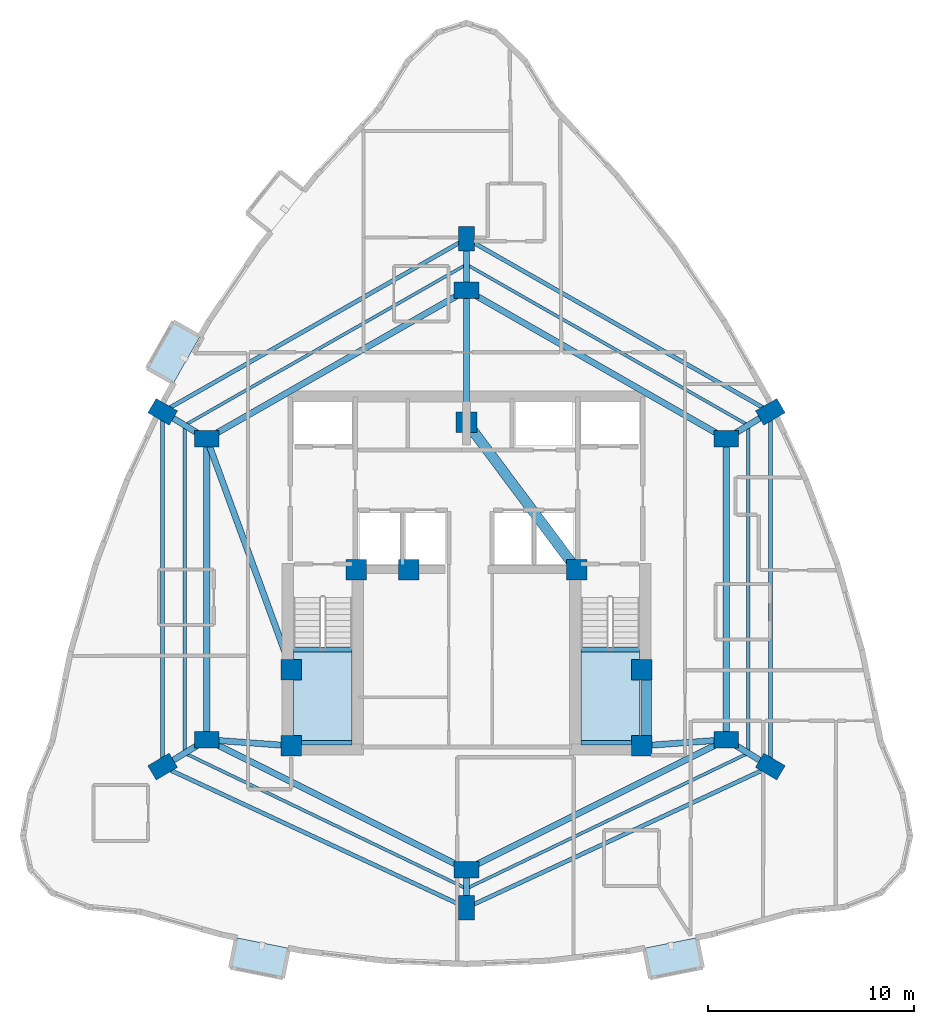
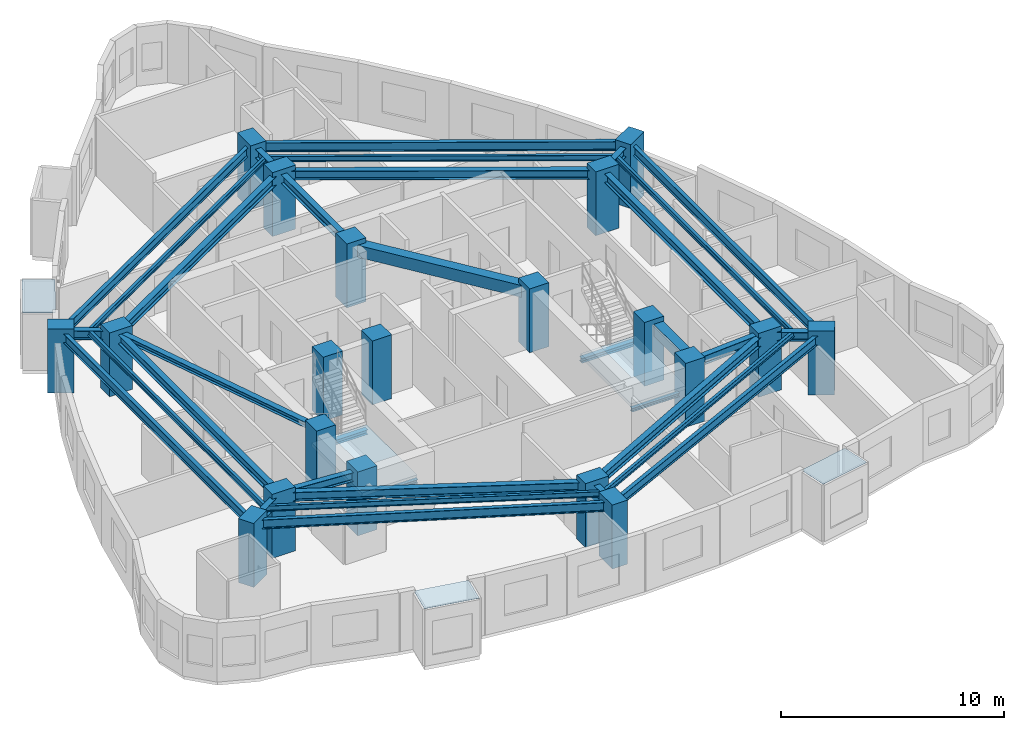
# One storey, part 1 of 12: 34 beams, 20 columns, 3 plates, 2 slabs, 2 elements without a shape of their own.
"""IFC4 building model written with IfcOpenShell, lengths in metres."""

from ifc_helpers import new_model, si_unit, direction, frame, origin, origin_2d, place, context, subcontext, project, spatial, polyline, rectangle, i_section, outline, extrude, material, layer, layer_set, material_profile, profile_set, type_object, element, aggregate, save


model = new_model("IFC4")

# Units and contexts
model_context = context("Model", 3, precision=1e-05, world=origin(), true_north=direction((0.0, 1.0)))
body_context = subcontext(model_context, "Body", "Model", "MODEL_VIEW")
ifc_project = project(units=[si_unit("LENGTHUNIT", "METRE"), si_unit("AREAUNIT", "SQUARE_METRE"), si_unit("VOLUMEUNIT", "CUBIC_METRE"), si_unit("PLANEANGLEUNIT", "RADIAN"), si_unit("MASSUNIT", "GRAM", prefix="KILO")], contexts=[model_context])

# Site, building, storey
site_placement = place(None, origin())
site = spatial("IfcSite", under=ifc_project, at=site_placement, CompositionType="ELEMENT")
building_placement = place(site_placement, origin())
building = spatial("IfcBuilding", under=site, at=building_placement, Name="Miruveldt Soraemaru", CompositionType="ELEMENT")
storey_placement = place(building_placement, frame((0.0, 0.0, 145.89990234375)))
storey = spatial("IfcBuildingStorey", under=building, at=storey_placement, Name="L40", CompositionType="ELEMENT", Elevation=145.89990234375)

# Columns
ifc_material_1 = material(Name="Concrete C60/75 (60 MPa)", Category="concrete")
ifc_material_profile_1 = material_profile(ifc_material_1, rectangle(XDim=1.0, YDim=1.0, at=origin_2d()), Name="Concrete C60/75 (60 MPa)", Category="concrete")
ifc_profile_set_1 = profile_set([ifc_material_profile_1], Name="Concrete C60/75 (60 MPa)")
column_type_1 = type_object("IfcColumnType", Name="COL-CORE-1000", PredefinedType="COLUMN", material=ifc_profile_set_1)
for number, where, z_axis, x_axis, name in (
    (1, (35.5, 35.5, 0.0), (0.0, 0.0, 1.0), (1.0, 0.0, 0.0), "L40 Structural Column CC1"),
    (2, (38.64990234375, 44.050048828125, 0.0), (0.0, 0.0, 1.0), (1.0, 0.0, 0.0), "L40 Structural Column CC2"),
    (3, (52.5, 35.5, 0.0), (0.0, 0.0, 1.0), (1.0, 0.0, 0.0), "L40 Structural Column CC3"),
    (4, (52.5, 39.199951171875, 0.0), (0.0, 0.0, 1.0), (1.0, 0.0, 0.0), "L40 Structural Column CC4"),
    (5, (49.35009765625, 44.050048828125, 0.0), (0.0, 0.0, 1.0), (1.0, 0.0, 0.0), "L40 Structural Column CC5"),
    (6, (44.0, 51.199951171875, 0.0), (0.0, 0.0, 1.0), (1.0, 0.0, 0.0), "L40 Structural Column CC6"),
    (7, (35.5, 39.199951171875, 0.0), (0.0, 0.0, 1.0), (1.0, 0.0, 0.0), "L40 Structural Column CC7"),
    (8, (41.199951171875, 44.050048828125, 0.0), (0.0, 0.0, 1.0), (1.0, 0.0, 0.0), "L40 Structural Column CC8"),
):
    element("IfcColumn", number, at=place(storey_placement, frame(where, z_axis=z_axis, x_axis=x_axis)), inside=storey, type_object=column_type_1, Name=name, PredefinedType="COLUMN", context=body_context, shape_type="SweptSolid", body=[
        extrude(rectangle(XDim=1.0, YDim=1.0, at=origin_2d()), origin(), (0.0, 0.0, 1.0), 3.5),
    ])
ifc_material_2 = material(Name="Concrete C70/85 (70 MPa)", Category="concrete")
ifc_material_profile_2 = material_profile(ifc_material_2, rectangle(XDim=1.199951171875, YDim=0.800048828125, at=origin_2d()), Name="Concrete C70/85 (70 MPa)", Category="concrete")
ifc_profile_set_2 = profile_set([ifc_material_profile_2], Name="Concrete C70/85 (70 MPa)")
column_type_2 = type_object("IfcColumnType", Name="COL-TW-Z2", PredefinedType="COLUMN", material=ifc_profile_set_2)
for number, where, z_axis, x_axis, name in (
    (9, (44.0, 57.60009765625, 0.0), (0.0, 0.0, 1.0), (1.0, 0.0, 0.0), "L40 Structural Column IR01"),
    (10, (56.60009765625, 50.39990234375, 0.0), (0.0, 0.0, 1.0), (1.0, 0.0, 0.0), "L40 Structural Column IR02"),
    (11, (56.60009765625, 35.800048828125, 0.0), (0.0, 0.0, 1.0), (1.0, 0.0, 0.0), "L40 Structural Column IR03"),
    (12, (44.0, 29.5, 0.0), (0.0, 0.0, 1.0), (1.0, 0.0, 0.0), "L40 Structural Column IR04"),
    (13, (31.39990234375, 35.800048828125, 0.0), (0.0, 0.0, 1.0), (1.0, 0.0, 0.0), "L40 Structural Column IR05"),
    (14, (31.39990234375, 50.39990234375, 0.0), (0.0, 0.0, 1.0), (1.0, 0.0, 0.0), "L40 Structural Column IR06"),
    (15, (44.0, 60.10595703125, 0.0), (0.0, 0.0, 1.0), (0.0, 1.0, 0.0), "L40 Structural Column Z2P01"),
    (16, (58.739990234375, 51.705078125, 0.0), (0.0, 0.0, 1.0), (0.866025403784, 0.5, 0.0), "L40 Structural Column Z2P02"),
    (17, (58.739990234375, 34.4951171875, 0.0), (0.0, 0.0, 1.0), (-0.860742027004, 0.50904141575, 0.0), "L40 Structural Column Z2P03"),
    (18, (44.0, 27.64697265625, 0.0), (0.0, 0.0, 1.0), (0.0, 1.0, 0.0), "L40 Structural Column Z2P04"),
    (19, (29.260009765625, 34.4951171875, 0.0), (0.0, 0.0, 1.0), (0.860742027004, 0.50904141575, 0.0), "L40 Structural Column Z2P05"),
    (20, (29.260009765625, 51.705078125, 0.0), (0.0, 0.0, 1.0), (-0.866025403784, 0.5, 0.0), "L40 Structural Column Z2P06"),
):
    element("IfcColumn", number, at=place(storey_placement, frame(where, z_axis=z_axis, x_axis=x_axis)), inside=storey, type_object=column_type_2, Name=name, PredefinedType="COLUMN", context=body_context, shape_type="SweptSolid", body=[
        extrude(rectangle(XDim=1.199951171875, YDim=0.800048828125, at=origin_2d()), origin(), (0.0, 0.0, 1.0), 3.5),
    ])

# Beams
ifc_material_3 = material(Name="Steel SM355 (355 MPa)", Category="steel")
ifc_material_profile_3 = material_profile(ifc_material_3, i_section(OverallWidth=0.300048828125, OverallDepth=0.300048828125, WebThickness=0.010009765625, FlangeThickness=0.014892578125, FilletRadius=0.01806640625, at=origin_2d()), Name="Steel SM355 (355 MPa)", Category="steel")
ifc_profile_set_3 = profile_set([ifc_material_profile_3], Name="Steel SM355 (355 MPa)")
beam_type_1 = type_object("IfcBeamType", Name="BM-LNT-H300", PredefinedType="LINTEL", material=ifc_profile_set_3)
beam_1_placement = place(storey_placement, frame((31.39990234375, 50.39990234375, 3.085205078125), z_axis=(0.343770424598, -0.939053723262, 0.0), x_axis=(0.939053723262, 0.343770424598, 0.0)))
element("IfcBeam", 21, at=beam_1_placement, inside=storey, type_object=beam_type_1, Name="L40 West Lobby Lintel", PredefinedType="LINTEL", context=body_context, shape_type="SweptSolid", body=[
    extrude(i_section(OverallWidth=0.300048828125, OverallDepth=0.300048828125, WebThickness=0.010009765625, FlangeThickness=0.014892578125, FilletRadius=0.01806640625, at=origin_2d()), origin(), (0.0, 0.0, 1.0), 11.9267578125),
])
ifc_material_4 = material(Name="Concrete C50/60 (50 MPa)", Category="concrete")
ifc_material_profile_4 = material_profile(ifc_material_4, rectangle(XDim=0.5, YDim=0.64990234375, at=origin_2d()), Name="Concrete C50/60 (50 MPa)", Category="concrete")
ifc_profile_set_4 = profile_set([ifc_material_profile_4], Name="Concrete C50/60 (50 MPa)")
beam_type_2 = type_object("IfcBeamType", Name="BM-RC-500x650", PredefinedType="BEAM", material=ifc_profile_set_4)
beam_2_placement = place(storey_placement, frame((52.72998046875, 35.5, 2.91015625), z_axis=(0.0, 1.0, 0.0), x_axis=(-1.0, 0.0, 0.0)))
element("IfcBeam", 22, at=beam_2_placement, inside=storey, type_object=beam_type_2, Name="L40 Core Tie Beam 3", PredefinedType="BEAM", context=body_context, shape_type="SweptSolid", body=[
    extrude(rectangle(XDim=0.5, YDim=0.64990234375, at=origin_2d()), origin(), (0.0, 0.0, 1.0), 3.699951171875),
])
beam_3_placement = place(storey_placement, frame((49.35009765625, 44.050048828125, 2.91015625), z_axis=(-0.599116023999, 0.800662219533, 0.0), x_axis=(-0.800662219533, -0.599116023999, 0.0)))
element("IfcBeam", 23, at=beam_3_placement, inside=storey, type_object=beam_type_2, Name="L40 Core Tie Beam 5", PredefinedType="BEAM", context=body_context, shape_type="SweptSolid", body=[
    extrude(rectangle(XDim=0.5, YDim=0.64990234375, at=origin_2d()), origin(), (0.0, 0.0, 1.0), 8.929931640625),
])
ifc_material_profile_5 = material_profile(ifc_material_3, i_section(OverallWidth=0.14990234375, OverallDepth=0.300048828125, WebThickness=0.006591796875, FlangeThickness=0.009033203125, FilletRadius=0.012939453125, at=origin_2d()), Name="Steel SM355 (355 MPa)", Category="steel")
ifc_profile_set_5 = profile_set([ifc_material_profile_5], Name="Steel SM355 (355 MPa)")
beam_type_3 = type_object("IfcBeamType", Name="BM-ST-H300", PredefinedType="JOIST", material=ifc_profile_set_5)
beam_4_placement = place(storey_placement, frame((44.0, 58.85302734375, 3.085205078125), z_axis=(0.868539859756, -0.495619321672, 0.0), x_axis=(0.495619321672, 0.868539859756, 0.0)))
element("IfcBeam", 24, at=beam_4_placement, inside=storey, type_object=beam_type_3, Name="L40 Outer Bay Floor Joist 1", PredefinedType="JOIST", context=body_context, shape_type="SweptSolid", body=[
    extrude(i_section(OverallWidth=0.14990234375, OverallDepth=0.300048828125, WebThickness=0.006591796875, FlangeThickness=0.009033203125, FilletRadius=0.012939453125, at=origin_2d()), origin(), (0.0, 0.0, 1.0), 15.739013671875),
])
beam_5_placement = place(storey_placement, frame((57.669921875, 51.052490234375, 3.085205078125), z_axis=(0.0, -1.0, 0.0), x_axis=(1.0, 0.0, 0.0)))
element("IfcBeam", 25, at=beam_5_placement, inside=storey, type_object=beam_type_3, Name="L40 Outer Bay Floor Joist 2", PredefinedType="JOIST", context=body_context, shape_type="SweptSolid", body=[
    extrude(i_section(OverallWidth=0.14990234375, OverallDepth=0.300048828125, WebThickness=0.006591796875, FlangeThickness=0.009033203125, FilletRadius=0.012939453125, at=origin_2d()), origin(), (0.0, 0.0, 1.0), 15.905029296875),
])
for number, where, z_axis, x_axis, name in (
    (26, (57.669921875, 35.1474609375, 3.085205078125), (-0.901203586802, -0.433396002676, 0.0), (0.433396002676, -0.901203586802, 0.0), "L40 Outer Bay Floor Joist 3"),
    (27, (44.0, 28.573486328125, 3.085205078125), (-0.901203586802, 0.433396002676, 0.0), (-0.433396002676, -0.901203586802, 0.0), "L40 Outer Bay Floor Joist 4"),
):
    element("IfcBeam", number, at=place(storey_placement, frame(where, z_axis=z_axis, x_axis=x_axis)), inside=storey, type_object=beam_type_3, Name=name, PredefinedType="JOIST", context=body_context, shape_type="SweptSolid", body=[
        extrude(i_section(OverallWidth=0.14990234375, OverallDepth=0.300048828125, WebThickness=0.006591796875, FlangeThickness=0.009033203125, FilletRadius=0.012939453125, at=origin_2d()), origin(), (0.0, 0.0, 1.0), 15.16845703125),
    ])
beam_6_placement = place(storey_placement, frame((30.330078125, 35.1474609375, 3.085205078125), z_axis=(0.0, 1.0, 0.0), x_axis=(-1.0, 0.0, 0.0)))
element("IfcBeam", 28, at=beam_6_placement, inside=storey, type_object=beam_type_3, Name="L40 Outer Bay Floor Joist 5", PredefinedType="JOIST", context=body_context, shape_type="SweptSolid", body=[
    extrude(i_section(OverallWidth=0.14990234375, OverallDepth=0.300048828125, WebThickness=0.006591796875, FlangeThickness=0.009033203125, FilletRadius=0.012939453125, at=origin_2d()), origin(), (0.0, 0.0, 1.0), 15.905029296875),
])
beam_7_placement = place(storey_placement, frame((30.330078125, 51.052490234375, 3.085205078125), z_axis=(0.868539859756, 0.495619321672, 0.0), x_axis=(-0.495619321672, 0.868539859756, 0.0)))
element("IfcBeam", 29, at=beam_7_placement, inside=storey, type_object=beam_type_3, Name="L40 Outer Bay Floor Joist 6", PredefinedType="JOIST", context=body_context, shape_type="SweptSolid", body=[
    extrude(i_section(OverallWidth=0.14990234375, OverallDepth=0.300048828125, WebThickness=0.006591796875, FlangeThickness=0.009033203125, FilletRadius=0.012939453125, at=origin_2d()), origin(), (0.0, 0.0, 1.0), 15.739013671875),
])
ifc_material_profile_6 = material_profile(ifc_material_3, i_section(OverallWidth=0.300048828125, OverallDepth=0.488037109375, WebThickness=0.010986328125, FlangeThickness=0.01806640625, FilletRadius=0.02587890625, at=origin_2d()), Name="Steel SM355 (355 MPa)", Category="steel")
ifc_profile_set_6 = profile_set([ifc_material_profile_6], Name="Steel SM355 (355 MPa)")
beam_type_4 = type_object("IfcBeamType", Name="BM-ST-H488", PredefinedType="BEAM", material=ifc_profile_set_6)
beam_8_placement = place(storey_placement, frame((44.0, 57.60009765625, 2.9912109375), z_axis=(0.868239001029, -0.496146185203, 0.0), x_axis=(0.496146185203, 0.868239001029, 0.0)))
element("IfcBeam", 30, at=beam_8_placement, inside=storey, type_object=beam_type_4, Name="L40 Inner Ring Girder 1", PredefinedType="BEAM", context=body_context, shape_type="SweptSolid", body=[
    extrude(i_section(OverallWidth=0.300048828125, OverallDepth=0.488037109375, WebThickness=0.010986328125, FlangeThickness=0.01806640625, FilletRadius=0.02587890625, at=origin_2d()), origin(), (0.0, 0.0, 1.0), 14.51220703125),
])
beam_9_placement = place(storey_placement, frame((44.0, 51.199951171875, 2.9912109375), z_axis=(0.0, 1.0, 0.0), x_axis=(-1.0, 0.0, 0.0)))
element("IfcBeam", 31, at=beam_9_placement, inside=storey, type_object=beam_type_4, Name="L40 Core-to-Inner Radial Girder 1", PredefinedType="BEAM", context=body_context, shape_type="SweptSolid", body=[
    extrude(i_section(OverallWidth=0.300048828125, OverallDepth=0.488037109375, WebThickness=0.010986328125, FlangeThickness=0.01806640625, FilletRadius=0.02587890625, at=origin_2d()), origin(), (0.0, 0.0, 1.0), 6.400146484375),
])
beam_10_placement = place(storey_placement, frame((56.60009765625, 50.39990234375, 2.9912109375), z_axis=(0.0, -1.0, 0.0), x_axis=(1.0, 0.0, 0.0)))
element("IfcBeam", 32, at=beam_10_placement, inside=storey, type_object=beam_type_4, Name="L40 Inner Ring Girder 2", PredefinedType="BEAM", context=body_context, shape_type="SweptSolid", body=[
    extrude(i_section(OverallWidth=0.300048828125, OverallDepth=0.488037109375, WebThickness=0.010986328125, FlangeThickness=0.01806640625, FilletRadius=0.02587890625, at=origin_2d()), origin(), (0.0, 0.0, 1.0), 14.599853515625),
])
beam_11_placement = place(storey_placement, frame((56.60009765625, 35.800048828125, 2.9912109375), z_axis=(-0.894427191, -0.4472135955, 0.0), x_axis=(0.4472135955, -0.894427191, 0.0)))
element("IfcBeam", 33, at=beam_11_placement, inside=storey, type_object=beam_type_4, Name="L40 Inner Ring Girder 3", PredefinedType="BEAM", context=body_context, shape_type="SweptSolid", body=[
    extrude(i_section(OverallWidth=0.300048828125, OverallDepth=0.488037109375, WebThickness=0.010986328125, FlangeThickness=0.01806640625, FilletRadius=0.02587890625, at=origin_2d()), origin(), (0.0, 0.0, 1.0), 14.08740234375),
])
beam_12_placement = place(storey_placement, frame((52.5, 35.5, 2.9912109375), z_axis=(0.997332985605, 0.072985723431, 0.0), x_axis=(-0.072985723431, 0.997332985605, 0.0)))
element("IfcBeam", 34, at=beam_12_placement, inside=storey, type_object=beam_type_4, Name="L40 Core-to-Inner Radial Girder 3", PredefinedType="BEAM", context=body_context, shape_type="SweptSolid", body=[
    extrude(i_section(OverallWidth=0.300048828125, OverallDepth=0.488037109375, WebThickness=0.010986328125, FlangeThickness=0.01806640625, FilletRadius=0.02587890625, at=origin_2d()), origin(), (0.0, 0.0, 1.0), 4.111083984375),
])
beam_13_placement = place(storey_placement, frame((44.0, 29.5, 2.9912109375), z_axis=(-0.894427191, 0.4472135955, 0.0), x_axis=(-0.4472135955, -0.894427191, 0.0)))
element("IfcBeam", 35, at=beam_13_placement, inside=storey, type_object=beam_type_4, Name="L40 Inner Ring Girder 4", PredefinedType="BEAM", context=body_context, shape_type="SweptSolid", body=[
    extrude(i_section(OverallWidth=0.300048828125, OverallDepth=0.488037109375, WebThickness=0.010986328125, FlangeThickness=0.01806640625, FilletRadius=0.02587890625, at=origin_2d()), origin(), (0.0, 0.0, 1.0), 14.08740234375),
])
beam_14_placement = place(storey_placement, frame((31.39990234375, 35.800048828125, 2.9912109375), z_axis=(0.0, 1.0, 0.0), x_axis=(-1.0, 0.0, 0.0)))
element("IfcBeam", 36, at=beam_14_placement, inside=storey, type_object=beam_type_4, Name="L40 Inner Ring Girder 5", PredefinedType="BEAM", context=body_context, shape_type="SweptSolid", body=[
    extrude(i_section(OverallWidth=0.300048828125, OverallDepth=0.488037109375, WebThickness=0.010986328125, FlangeThickness=0.01806640625, FilletRadius=0.02587890625, at=origin_2d()), origin(), (0.0, 0.0, 1.0), 14.599853515625),
])
beam_15_placement = place(storey_placement, frame((35.5, 35.5, 2.9912109375), z_axis=(-0.997332985605, 0.072985723431, 0.0), x_axis=(-0.072985723431, -0.997332985605, 0.0)))
element("IfcBeam", 37, at=beam_15_placement, inside=storey, type_object=beam_type_4, Name="L40 Core-to-Inner Radial Girder 5", PredefinedType="BEAM", context=body_context, shape_type="SweptSolid", body=[
    extrude(i_section(OverallWidth=0.300048828125, OverallDepth=0.488037109375, WebThickness=0.010986328125, FlangeThickness=0.01806640625, FilletRadius=0.02587890625, at=origin_2d()), origin(), (0.0, 0.0, 1.0), 4.111083984375),
])
beam_16_placement = place(storey_placement, frame((31.39990234375, 50.39990234375, 2.9912109375), z_axis=(0.868239001029, 0.496146185203, 0.0), x_axis=(-0.496146185203, 0.868239001029, 0.0)))
element("IfcBeam", 38, at=beam_16_placement, inside=storey, type_object=beam_type_4, Name="L40 Inner Ring Girder 6", PredefinedType="BEAM", context=body_context, shape_type="SweptSolid", body=[
    extrude(i_section(OverallWidth=0.300048828125, OverallDepth=0.488037109375, WebThickness=0.010986328125, FlangeThickness=0.01806640625, FilletRadius=0.02587890625, at=origin_2d()), origin(), (0.0, 0.0, 1.0), 14.51220703125),
])
beam_17_placement = place(storey_placement, frame((44.0, 57.60009765625, 2.9912109375), z_axis=(0.0, 1.0, 0.0), x_axis=(-1.0, 0.0, 0.0)))
element("IfcBeam", 39, at=beam_17_placement, inside=storey, type_object=beam_type_4, Name="L40 Zone-2 Radial Girder 1", PredefinedType="BEAM", context=body_context, shape_type="SweptSolid", body=[
    extrude(i_section(OverallWidth=0.300048828125, OverallDepth=0.488037109375, WebThickness=0.010986328125, FlangeThickness=0.01806640625, FilletRadius=0.02587890625, at=origin_2d()), origin(), (0.0, 0.0, 1.0), 2.505859375),
])
beam_18_placement = place(storey_placement, frame((56.60009765625, 50.39990234375, 2.9912109375), z_axis=(0.85373175529, 0.520713059188, 0.0), x_axis=(-0.520713059188, 0.85373175529, 0.0)))
element("IfcBeam", 40, at=beam_18_placement, inside=storey, type_object=beam_type_4, Name="L40 Zone-2 Radial Girder 2", PredefinedType="BEAM", context=body_context, shape_type="SweptSolid", body=[
    extrude(i_section(OverallWidth=0.300048828125, OverallDepth=0.488037109375, WebThickness=0.010986328125, FlangeThickness=0.01806640625, FilletRadius=0.02587890625, at=origin_2d()), origin(), (0.0, 0.0, 1.0), 2.506591796875),
])
beam_19_placement = place(storey_placement, frame((56.60009765625, 35.800048828125, 2.9912109375), z_axis=(0.853775054686, -0.5206420613, 0.0), x_axis=(0.5206420613, 0.853775054686, 0.0)))
element("IfcBeam", 41, at=beam_19_placement, inside=storey, type_object=beam_type_4, Name="L40 Zone-2 Radial Girder 3", PredefinedType="BEAM", context=body_context, shape_type="SweptSolid", body=[
    extrude(i_section(OverallWidth=0.300048828125, OverallDepth=0.488037109375, WebThickness=0.010986328125, FlangeThickness=0.01806640625, FilletRadius=0.02587890625, at=origin_2d()), origin(), (0.0, 0.0, 1.0), 2.50634765625),
])
beam_20_placement = place(storey_placement, frame((44.0, 29.5, 2.9912109375), z_axis=(0.0, -1.0, 0.0), x_axis=(1.0, 0.0, 0.0)))
element("IfcBeam", 42, at=beam_20_placement, inside=storey, type_object=beam_type_4, Name="L40 Zone-2 Radial Girder 4", PredefinedType="BEAM", context=body_context, shape_type="SweptSolid", body=[
    extrude(i_section(OverallWidth=0.300048828125, OverallDepth=0.488037109375, WebThickness=0.010986328125, FlangeThickness=0.01806640625, FilletRadius=0.02587890625, at=origin_2d()), origin(), (0.0, 0.0, 1.0), 1.85302734375),
])
beam_21_placement = place(storey_placement, frame((31.39990234375, 35.800048828125, 2.9912109375), z_axis=(-0.853775054686, -0.5206420613, 0.0), x_axis=(0.5206420613, -0.853775054686, 0.0)))
element("IfcBeam", 43, at=beam_21_placement, inside=storey, type_object=beam_type_4, Name="L40 Zone-2 Radial Girder 5", PredefinedType="BEAM", context=body_context, shape_type="SweptSolid", body=[
    extrude(i_section(OverallWidth=0.300048828125, OverallDepth=0.488037109375, WebThickness=0.010986328125, FlangeThickness=0.01806640625, FilletRadius=0.02587890625, at=origin_2d()), origin(), (0.0, 0.0, 1.0), 2.50634765625),
])
beam_22_placement = place(storey_placement, frame((31.39990234375, 50.39990234375, 2.9912109375), z_axis=(-0.85373175529, 0.520713059188, 0.0), x_axis=(-0.520713059188, -0.85373175529, 0.0)))
element("IfcBeam", 44, at=beam_22_placement, inside=storey, type_object=beam_type_4, Name="L40 Zone-2 Radial Girder 6", PredefinedType="BEAM", context=body_context, shape_type="SweptSolid", body=[
    extrude(i_section(OverallWidth=0.300048828125, OverallDepth=0.488037109375, WebThickness=0.010986328125, FlangeThickness=0.01806640625, FilletRadius=0.02587890625, at=origin_2d()), origin(), (0.0, 0.0, 1.0), 2.506591796875),
])
ifc_material_profile_7 = material_profile(ifc_material_3, i_section(OverallWidth=0.199951171875, OverallDepth=0.5, WebThickness=0.010009765625, FlangeThickness=0.01611328125, FilletRadius=0.02001953125, at=origin_2d()), Name="Steel SM355 (355 MPa)", Category="steel")
ifc_profile_set_7 = profile_set([ifc_material_profile_7], Name="Steel SM355 (355 MPa)")
beam_type_5 = type_object("IfcBeamType", Name="BM-ST-H500", PredefinedType="SPANDREL", material=ifc_profile_set_7)
beam_23_placement = place(storey_placement, frame((44.0, 60.10595703125, 2.985107421875), z_axis=(0.86880048516, -0.495162313778, 0.0), x_axis=(0.495162313778, 0.86880048516, 0.0)))
element("IfcBeam", 45, at=beam_23_placement, inside=storey, type_object=beam_type_5, Name="L40 Zone-2 Spandrel Beam 1", PredefinedType="SPANDREL", context=body_context, shape_type="SweptSolid", body=[
    extrude(i_section(OverallWidth=0.199951171875, OverallDepth=0.5, WebThickness=0.010009765625, FlangeThickness=0.01611328125, FilletRadius=0.02001953125, at=origin_2d()), origin(), (0.0, 0.0, 1.0), 16.9658203125),
])
beam_24_placement = place(storey_placement, frame((58.739990234375, 51.705078125, 2.985107421875), z_axis=(0.0, -1.0, 0.0), x_axis=(1.0, 0.0, 0.0)))
element("IfcBeam", 46, at=beam_24_placement, inside=storey, type_object=beam_type_5, Name="L40 Zone-2 Spandrel Beam 2", PredefinedType="SPANDREL", context=body_context, shape_type="SweptSolid", body=[
    extrude(i_section(OverallWidth=0.199951171875, OverallDepth=0.5, WebThickness=0.010009765625, FlangeThickness=0.01611328125, FilletRadius=0.02001953125, at=origin_2d()), origin(), (0.0, 0.0, 1.0), 17.2099609375),
])
for number, where, z_axis, x_axis, name in (
    (47, (58.739990234375, 34.4951171875, 2.985107421875), (-0.906901362829, -0.421342993414, 0.0), (0.421342993414, -0.906901362829, 0.0), "L40 Zone-2 Spandrel Beam 3"),
    (48, (44.0, 27.64697265625, 2.985107421875), (-0.906901362829, 0.421342993414, 0.0), (-0.421342993414, -0.906901362829, 0.0), "L40 Zone-2 Spandrel Beam 4"),
):
    element("IfcBeam", number, at=place(storey_placement, frame(where, z_axis=z_axis, x_axis=x_axis)), inside=storey, type_object=beam_type_5, Name=name, PredefinedType="SPANDREL", context=body_context, shape_type="SweptSolid", body=[
        extrude(i_section(OverallWidth=0.199951171875, OverallDepth=0.5, WebThickness=0.010009765625, FlangeThickness=0.01611328125, FilletRadius=0.02001953125, at=origin_2d()), origin(), (0.0, 0.0, 1.0), 16.253173828125),
    ])
beam_25_placement = place(storey_placement, frame((29.260009765625, 34.4951171875, 2.985107421875), z_axis=(0.0, 1.0, 0.0), x_axis=(-1.0, 0.0, 0.0)))
element("IfcBeam", 49, at=beam_25_placement, inside=storey, type_object=beam_type_5, Name="L40 Zone-2 Spandrel Beam 5", PredefinedType="SPANDREL", context=body_context, shape_type="SweptSolid", body=[
    extrude(i_section(OverallWidth=0.199951171875, OverallDepth=0.5, WebThickness=0.010009765625, FlangeThickness=0.01611328125, FilletRadius=0.02001953125, at=origin_2d()), origin(), (0.0, 0.0, 1.0), 17.2099609375),
])
beam_26_placement = place(storey_placement, frame((29.260009765625, 51.705078125, 2.985107421875), z_axis=(0.86880048516, 0.495162313778, 0.0), x_axis=(-0.495162313778, 0.86880048516, 0.0)))
element("IfcBeam", 50, at=beam_26_placement, inside=storey, type_object=beam_type_5, Name="L40 Zone-2 Spandrel Beam 6", PredefinedType="SPANDREL", context=body_context, shape_type="SweptSolid", body=[
    extrude(i_section(OverallWidth=0.199951171875, OverallDepth=0.5, WebThickness=0.010009765625, FlangeThickness=0.01611328125, FilletRadius=0.02001953125, at=origin_2d()), origin(), (0.0, 0.0, 1.0), 16.9658203125),
])
ifc_material_profile_8 = material_profile(ifc_material_3, i_section(OverallWidth=0.199951171875, OverallDepth=0.199951171875, WebThickness=0.008056640625, FlangeThickness=0.011962890625, FilletRadius=0.012939453125, at=origin_2d()), Name="Steel SM355 (355 MPa)", Category="steel")
ifc_profile_set_8 = profile_set([ifc_material_profile_8], Name="Steel SM355 (355 MPa)")
beam_type_6 = type_object("IfcBeamType", Name="BM-ST-LND200", PredefinedType="BEAM", material=ifc_profile_set_8)
for number, where, z_axis, x_axis, name in (
    (51, (35.60009765625, 35.64990234375, 1.4501953125), (1.0, 0.0, 0.0), (0.0, 1.0, 0.0), "L40 ST1 Landing End Beam 1B"),
    (52, (49.550048828125, 35.64990234375, 1.4501953125), (1.0, 0.0, 0.0), (0.0, 1.0, 0.0), "L40 ST2 Landing End Beam 1B"),
):
    element("IfcBeam", number, at=place(storey_placement, frame(where, z_axis=z_axis, x_axis=x_axis)), inside=storey, type_object=beam_type_6, Name=name, PredefinedType="BEAM", context=body_context, shape_type="SweptSolid", body=[
        extrude(i_section(OverallWidth=0.199951171875, OverallDepth=0.199951171875, WebThickness=0.008056640625, FlangeThickness=0.011962890625, FilletRadius=0.012939453125, at=origin_2d()), origin(), (0.0, 0.0, 1.0), 2.849853515625),
    ])
ifc_material_profile_9 = material_profile(ifc_material_3, i_section(OverallWidth=0.25, OverallDepth=0.25, WebThickness=0.009033203125, FlangeThickness=0.013916015625, FilletRadius=0.01611328125, at=origin_2d()), Name="Steel SM355 (355 MPa)", Category="steel")
ifc_profile_set_9 = profile_set([ifc_material_profile_9], Name="Steel SM355 (355 MPa)")
beam_type_7 = type_object("IfcBeamType", Name="BM-ST-LND250", PredefinedType="BEAM", material=ifc_profile_set_9)
for number, where, z_axis, x_axis, name in (
    (53, (35.60009765625, 40.179931640625, 1.425048828125), (1.0, 0.0, 0.0), (0.0, 1.0, 0.0), "L40 ST1 Landing Support Beam 1A"),
    (54, (49.550048828125, 40.179931640625, 1.425048828125), (1.0, 0.0, 0.0), (0.0, 1.0, 0.0), "L40 ST2 Landing Support Beam 1A"),
):
    element("IfcBeam", number, at=place(storey_placement, frame(where, z_axis=z_axis, x_axis=x_axis)), inside=storey, type_object=beam_type_7, Name=name, PredefinedType="BEAM", context=body_context, shape_type="SweptSolid", body=[
        extrude(i_section(OverallWidth=0.25, OverallDepth=0.25, WebThickness=0.009033203125, FlangeThickness=0.013916015625, FilletRadius=0.01611328125, at=origin_2d()), origin(), (0.0, 0.0, 1.0), 2.849853515625),
    ])

# Plates
ifc_material_5 = material(Name="Standing-seam titanium-zinc sheet", Category="aluminium")
ifc_layer_1 = layer(ifc_material_5, 0.011962890625, Name="Standing-seam titanium-zinc sheet", Category="aluminium")
ifc_layer_set_1 = layer_set([ifc_layer_1], Name="Standing-seam titanium-zinc sheet")
plate_type = type_object("IfcPlateType", Name="PLT-ZINC-12", PredefinedType="SHEET", material=ifc_layer_set_1)
plate_1_placement = place(storey_placement, frame((0.0, 0.0, 3.085205078125)))
element("IfcPlate", 55, at=plate_1_placement, inside=storey, type_object=plate_type, Name="L40 Bay Window Zinc Hood Sheet 1", PredefinedType="SHEET", context=body_context, shape_type="SweptSolid", body=[
    extrude(outline(polyline([(31.0673828125, 55.355712890625), (29.784423828125, 53.093994140625), (28.497314453125, 53.82421875), (29.780029296875, 56.085693359375), (31.0673828125, 55.355712890625)])), origin(), (0.0, 0.0, 1.0), 0.011962890625),
])
plate_2_placement = place(storey_placement, frame((0.0, 0.0, 3.085205078125)))
element("IfcPlate", 56, at=plate_2_placement, inside=storey, type_object=plate_type, Name="L40 Bay Window Zinc Hood Sheet 2", PredefinedType="SHEET", context=body_context, shape_type="SweptSolid", body=[
    extrude(outline(polyline([(32.829345703125, 26.194580078125), (35.37890625, 25.684814453125), (35.088623046875, 24.2333984375), (32.5390625, 24.743408203125), (32.829345703125, 26.194580078125)])), origin(), (0.0, 0.0, 1.0), 0.011962890625),
])
plate_3_placement = place(storey_placement, frame((0.0, 0.0, 3.085205078125)))
element("IfcPlate", 57, at=plate_3_placement, inside=storey, type_object=plate_type, Name="L40 Bay Window Zinc Hood Sheet 3", PredefinedType="SHEET", context=body_context, shape_type="SweptSolid", body=[
    extrude(outline(polyline([(52.62109375, 25.684814453125), (55.170654296875, 26.194580078125), (55.4609375, 24.743408203125), (52.911376953125, 24.2333984375), (52.62109375, 25.684814453125)])), origin(), (0.0, 0.0, 1.0), 0.011962890625),
])

# Stair, slab
ifc_material_6 = material(Name="Concrete C40/50 (40 MPa)", Category="concrete")
stair_type = type_object("IfcStairType", Name="STAIR-DL-350", PredefinedType="HALF_TURN_STAIR", material=ifc_material_6)
stair_1_placement = place(storey_placement, origin())
stair_1 = element("IfcStair", 58, at=stair_1_placement, inside=storey, type_object=stair_type, Name="L40 Protected Exit Stair ST-1", PredefinedType="HALF_TURN_STAIR")
ifc_layer_2 = layer(ifc_material_6, 0.199951171875, Name="Concrete C40/50 (40 MPa)", Category="concrete")
ifc_layer_set_2 = layer_set([ifc_layer_2], Name="Concrete C40/50 (40 MPa)")
slab_type = type_object("IfcSlabType", Name="SLAB-LAND-200", PredefinedType="LANDING", material=ifc_layer_set_2)
slab_1_placement = place(storey_placement, frame((0.0, 0.0, 1.550048828125)))
slab_1 = element("IfcSlab", 59, at=slab_1_placement, type_object=slab_type, Name="ST-1 landing 1", PredefinedType="LANDING", context=body_context, shape_type="SweptSolid", body=[
    extrude(outline(polyline([(35.60009765625, 40.197998046875), (35.60009765625, 35.64990234375), (38.449951171875, 35.64990234375), (38.449951171875, 40.197998046875), (35.60009765625, 40.197998046875)])), origin(), (0.0, 0.0, 1.0), 0.199951171875),
])
aggregate(stair_1, [slab_1])

stair_2_placement = place(storey_placement, origin())
stair_2 = element("IfcStair", 60, at=stair_2_placement, inside=storey, type_object=stair_type, Name="L40 Protected Exit Stair ST-2", PredefinedType="HALF_TURN_STAIR")
slab_2_placement = place(storey_placement, frame((0.0, 0.0, 1.550048828125)))
slab_2 = element("IfcSlab", 61, at=slab_2_placement, type_object=slab_type, Name="ST-2 landing 1", PredefinedType="LANDING", context=body_context, shape_type="SweptSolid", body=[
    extrude(outline(polyline([(49.550048828125, 40.197998046875), (49.550048828125, 35.64990234375), (52.39990234375, 35.64990234375), (52.39990234375, 40.197998046875), (49.550048828125, 40.197998046875)])), origin(), (0.0, 0.0, 1.0), 0.199951171875),
])
aggregate(stair_2, [slab_2])

save(model, "model.ifc")
